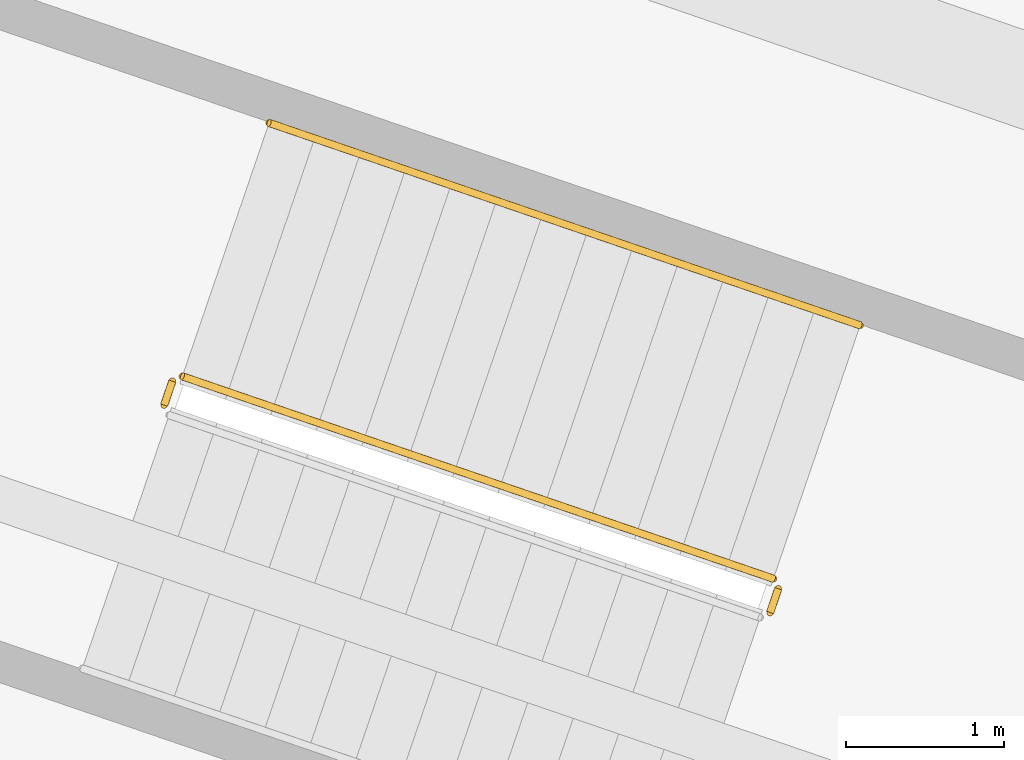
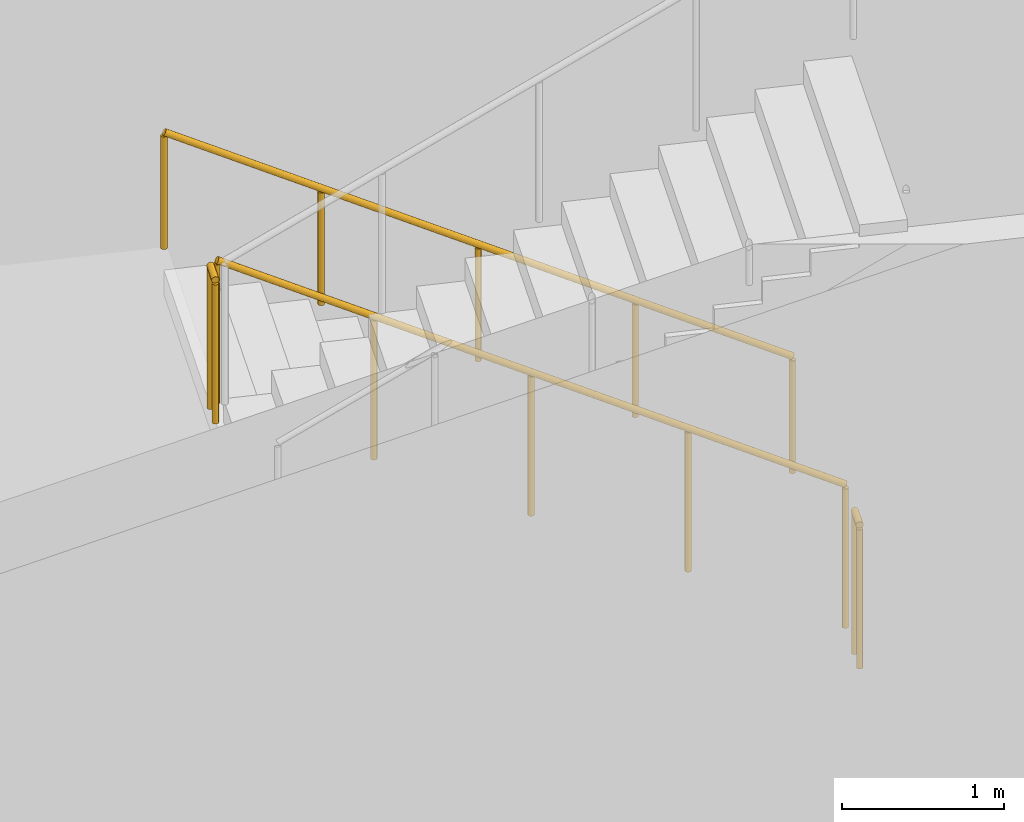
# One storey, part 147 of 152: 4 railings.
"""IFC4 building model written with IfcOpenShell, lengths in metres."""

from ifc_helpers import new_model, si_unit, direction, frame, origin, origin_2d, place, context, subcontext, project, spatial, circle, extrude, material, type_object, element, save


model = new_model("IFC4")

# Units and contexts
model_context = context("Model", 3, precision=1e-05, world=origin(), true_north=direction((0.0, 1.0)))
body_context = subcontext(model_context, "Body", "Model", "MODEL_VIEW")
ifc_project = project(units=[si_unit("LENGTHUNIT", "METRE"), si_unit("AREAUNIT", "SQUARE_METRE"), si_unit("VOLUMEUNIT", "CUBIC_METRE"), si_unit("PLANEANGLEUNIT", "RADIAN"), si_unit("MASSUNIT", "GRAM", prefix="KILO")], contexts=[model_context])

# Site, building, storey
site_placement = place(None, origin())
site = spatial("IfcSite", under=ifc_project, at=site_placement, CompositionType="ELEMENT")
building_placement = place(site_placement, origin())
building = spatial("IfcBuilding", under=site, at=building_placement, Name="Zevraka Park Crest Stadium", CompositionType="ELEMENT")
storey_placement = place(building_placement, frame((0.0, 0.0, 15.0)))
storey = spatial("IfcBuildingStorey", under=building, at=storey_placement, Name="L03", CompositionType="ELEMENT", Elevation=15.0)

# Railings
ifc_material_1 = material(Name="Powder-coated tubular steel stairwell guard", Category="steel")
railing_type_1 = type_object("IfcRailingType", Name="GR03", PredefinedType="GUARDRAIL", material=ifc_material_1)
railing_1_placement = place(storey_placement, frame((151.781982421875, 155.350341796875, 0.17138671875)))
element("IfcRailing", 1, at=railing_1_placement, inside=storey, type_object=railing_type_1, Name="L03 ST05 stair guard 1", PredefinedType="GUARDRAIL", context=body_context, shape_type="SweptSolid", body=[
    extrude(circle(Radius=0.02392578125, at=origin_2d()), frame((0.0, 0.0, 1.076171875), z_axis=(-0.824739296281, 0.282392023283, 0.489959017016), x_axis=(-0.323938619155, -0.946078099852, 0.0)), (0.0, 0.0, 1.0), 4.54833984375),
    extrude(circle(Radius=0.02099609375, at=origin_2d()), origin(), (0.0, 0.0, 1.0), 1.052001953125),
    extrude(circle(Radius=0.02099609375, at=origin_2d()), frame((-0.937744140625, 0.321044921875, 0.55712890625)), (0.0, 0.0, 1.0), 1.052001953125),
    extrude(circle(Radius=0.02099609375, at=origin_2d()), frame((-1.87548828125, 0.64208984375, 1.1142578125)), (0.0, 0.0, 1.0), 1.052001953125),
    extrude(circle(Radius=0.02099609375, at=origin_2d()), frame((-2.8134765625, 0.96337890625, 1.67138671875)), (0.0, 0.0, 1.0), 1.052001953125),
    extrude(circle(Radius=0.02099609375, at=origin_2d()), frame((-3.751220703125, 1.284423828125, 2.228515625)), (0.0, 0.0, 1.0), 1.052001953125),
])
railing_2_placement = place(storey_placement, frame((147.96728515625, 156.603759765625, 2.39990234375)))
element("IfcRailing", 2, at=railing_2_placement, inside=storey, type_object=railing_type_1, Name="L03 ST05 stair guard 2", PredefinedType="GUARDRAIL", context=body_context, shape_type="SweptSolid", body=[
    extrude(circle(Radius=0.02392578125, at=origin_2d()), frame((0.0, 0.0, 1.076171875), z_axis=(-0.324909238665, -0.945745201748, 0.0), x_axis=(0.945745201748, -0.324909238665, 0.0)), (0.0, 0.0, 1.0), 0.16015625),
    extrude(circle(Radius=0.02099609375, at=origin_2d()), origin(), (0.0, 0.0, 1.0), 1.052001953125),
    extrude(circle(Radius=0.02099609375, at=origin_2d()), frame((-0.052001953125, -0.1513671875, 0.0)), (0.0, 0.0, 1.0), 1.052001953125),
])
railing_3_placement = place(storey_placement, frame((151.81298828125, 155.286865234375, 0.0)))
element("IfcRailing", 3, at=railing_3_placement, inside=storey, type_object=railing_type_1, Name="L03 ST05 stair guard 4", PredefinedType="GUARDRAIL", context=body_context, shape_type="SweptSolid", body=[
    extrude(circle(Radius=0.02392578125, at=origin_2d()), frame((0.0, 0.0, 1.076171875), z_axis=(-0.32354385955, -0.946213174156, 0.0), x_axis=(0.946213174156, -0.32354385955, 0.0)), (0.0, 0.0, 1.0), 0.159912109375),
    extrude(circle(Radius=0.02099609375, at=origin_2d()), origin(), (0.0, 0.0, 1.0), 1.052001953125),
    extrude(circle(Radius=0.02099609375, at=origin_2d()), frame((-0.0517578125, -0.1513671875, 0.0)), (0.0, 0.0, 1.0), 1.052001953125),
])
ifc_material_2 = material(Name="Brushed stainless steel continuous handrail", Category="steel")
railing_type_2 = type_object("IfcRailingType", Name="HR01", PredefinedType="HANDRAIL", material=ifc_material_2)
railing_4_placement = place(storey_placement, frame((152.33251953125, 156.958740234375, 0.17138671875)))
element("IfcRailing", 4, at=railing_4_placement, inside=storey, type_object=railing_type_2, Name="L03 ST05 stair handrail 1", PredefinedType="HANDRAIL", context=body_context, shape_type="SweptSolid", body=[
    extrude(circle(Radius=0.02392578125, at=origin_2d()), frame((0.0, 0.0, 0.8759765625), z_axis=(-0.824722129126, 0.28240452495, 0.489980707801), x_axis=(-0.323957490722, -0.946071637988, 0.0)), (0.0, 0.0, 1.0), 4.548095703125),
    extrude(circle(Radius=0.02099609375, at=origin_2d()), origin(), (0.0, 0.0, 1.0), 0.851806640625),
    extrude(circle(Radius=0.02099609375, at=origin_2d()), frame((-0.937744140625, 0.321044921875, 0.55712890625)), (0.0, 0.0, 1.0), 0.851806640625),
    extrude(circle(Radius=0.02099609375, at=origin_2d()), frame((-1.87548828125, 0.64208984375, 1.1142578125)), (0.0, 0.0, 1.0), 0.851806640625),
    extrude(circle(Radius=0.02099609375, at=origin_2d()), frame((-2.813232421875, 0.96337890625, 1.67138671875)), (0.0, 0.0, 1.0), 0.851806640625),
    extrude(circle(Radius=0.02099609375, at=origin_2d()), frame((-3.7509765625, 1.284423828125, 2.228515625)), (0.0, 0.0, 1.0), 0.851806640625),
])

save(model, "model.ifc")
